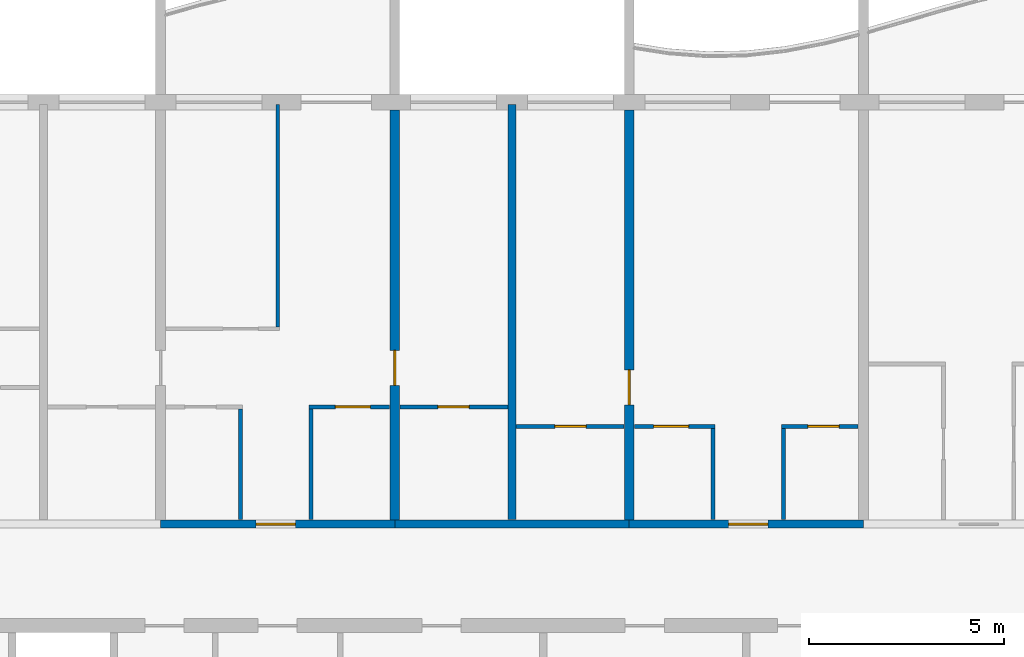
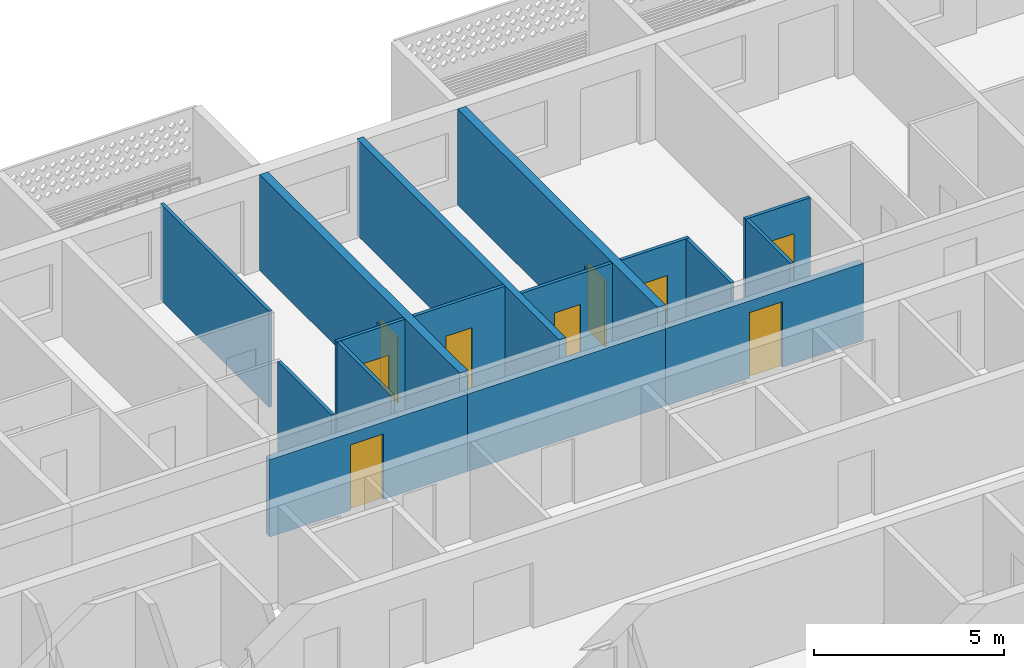
# One storey, part 9 of 26: 16 walls, 9 doors, 9 openings.
"""IFC4 building model written with IfcOpenShell, lengths in metres."""

from ifc_helpers import new_model, si_unit, direction, frame, frame_2d, origin, place, context, subcontext, project, spatial, rectangle, extrude, material, layer, layer_set, type_object, element, fill, save


model = new_model("IFC4")

# Units and contexts
model_context = context("Model", 3, precision=1e-05, world=origin(), true_north=direction((0.0, 1.0)))
body_context = subcontext(model_context, "Body", "Model", "MODEL_VIEW")
ifc_project = project(units=[si_unit("LENGTHUNIT", "METRE"), si_unit("AREAUNIT", "SQUARE_METRE"), si_unit("VOLUMEUNIT", "CUBIC_METRE"), si_unit("PLANEANGLEUNIT", "RADIAN"), si_unit("MASSUNIT", "GRAM", prefix="KILO")], contexts=[model_context])

# Site, building, storey
site_placement = place(None, origin())
site = spatial("IfcSite", under=ifc_project, at=site_placement, CompositionType="ELEMENT")
building_placement = place(site_placement, origin())
building = spatial("IfcBuilding", under=site, at=building_placement, Name="Poui Terraces", CompositionType="ELEMENT")
storey_placement = place(building_placement, frame((0.0, 0.0, 247.800048828125)))
storey = spatial("IfcBuildingStorey", under=building, at=storey_placement, Name="L69", CompositionType="ELEMENT", Elevation=247.800048828125)

# Wall, opening, door
ifc_material_1 = material(Name="Concrete 50 MPa", Category="concrete")
ifc_layer_1 = layer(ifc_material_1, 0.199951171875)
ifc_layer_set_1 = layer_set([ifc_layer_1], Name="Concrete 50 MPa")
wall_type_1 = type_object("IfcWallType", Name="CORRIDOR WALL 200 50MPa", PredefinedType="SHEAR", material=ifc_layer_set_1)
wall_1_placement = place(storey_placement, frame((48.0, 30.39990234375, 0.0), z_axis=(0.0, 0.0, 1.0), x_axis=(1.0, 0.0, 0.0)))
wall_1 = element("IfcWall", 1, at=wall_1_placement, inside=storey, type_object=wall_type_1, Name="CORRIDOR WALL LINE E BAY 6", PredefinedType="SHEAR", context=body_context, shape_type="SweptSolid", body=[
    extrude(rectangle(XDim=6.0, YDim=0.199951171875, at=frame_2d((3.0, 0.0))), origin(), (0.0, 0.0, 1.0), 2.47998046875),
])
opening_1_placement = place(wall_1_placement, frame((2.449951171875, 0.0, 0.0)))
opening_1 = element("IfcOpeningElement", 2, at=opening_1_placement, cuts=wall_1, Name="Opening FD30S", PredefinedType="OPENING", context=body_context, shape_type="SweptSolid", body=[
    extrude(rectangle(XDim=1.0, YDim=2.10009765625, at=frame_2d((0.5, 1.050048828125))), frame((0.0, 0.10986328125, 0.0), z_axis=(0.0, -1.0, 0.0), x_axis=(1.0, 0.0, 0.0)), (0.0, 0.0, 1.0), 0.219970703125),
])
ifc_material_2 = material(Name="Steel fire door", Category="steel")
door_type_1 = type_object("IfcDoorType", Name="FLAT ENTRANCE DOOR 1000 X 2100", OperationType="NOTDEFINED", PredefinedType="DOOR", material=ifc_material_2)
door_1_placement = place(opening_1_placement, origin())
door_1 = element("IfcDoor", 3, at=door_1_placement, inside=storey, type_object=door_type_1, Name="FLAT ENTRANCE DOOR 046", OperationType="SINGLE_SWING_LEFT", OverallHeight=2.10009765625, OverallWidth=1.0, PredefinedType="DOOR", context=body_context, shape_type="SweptSolid", body=[
    extrude(rectangle(XDim=1.0, YDim=2.10009765625, at=frame_2d((0.5, 1.050048828125))), frame((0.0, 0.02490234375, 0.0), z_axis=(0.0, -1.0, 0.0), x_axis=(1.0, 0.0, 0.0)), (0.0, 0.0, 1.0), 0.050048828125),
])
fill(opening_1, door_1)

# Wall
wall_2_placement = place(storey_placement, frame((54.0, 30.39990234375, 0.0), z_axis=(0.0, 0.0, 1.0), x_axis=(1.0, 0.0, 0.0)))
element("IfcWall", 4, at=wall_2_placement, inside=storey, type_object=wall_type_1, Name="CORRIDOR WALL LINE E BAY 7", PredefinedType="SHEAR", context=body_context, shape_type="SweptSolid", body=[
    extrude(rectangle(XDim=6.0, YDim=0.199951171875, at=frame_2d((3.0, 0.0))), origin(), (0.0, 0.0, 1.0), 2.47998046875),
])

# Wall, opening, door
wall_3_placement = place(storey_placement, frame((60.0, 30.39990234375, 0.0), z_axis=(0.0, 0.0, 1.0), x_axis=(1.0, 0.0, 0.0)))
wall_3 = element("IfcWall", 5, at=wall_3_placement, inside=storey, type_object=wall_type_1, Name="CORRIDOR WALL LINE E BAY 8", PredefinedType="SHEAR", context=body_context, shape_type="SweptSolid", body=[
    extrude(rectangle(XDim=6.0, YDim=0.199951171875, at=frame_2d((3.0, 0.0))), origin(), (0.0, 0.0, 1.0), 2.47998046875),
])
opening_2_placement = place(wall_3_placement, frame((2.550048828125, 0.0, 0.0)))
opening_2 = element("IfcOpeningElement", 6, at=opening_2_placement, cuts=wall_3, Name="Opening FD30S", PredefinedType="OPENING", context=body_context, shape_type="SweptSolid", body=[
    extrude(rectangle(XDim=1.0, YDim=2.10009765625, at=frame_2d((0.5, 1.050048828125))), frame((0.0, 0.10986328125, 0.0), z_axis=(0.0, -1.0, 0.0), x_axis=(1.0, 0.0, 0.0)), (0.0, 0.0, 1.0), 0.219970703125),
])
door_2_placement = place(opening_2_placement, origin())
door_2 = element("IfcDoor", 7, at=door_2_placement, inside=storey, type_object=door_type_1, Name="FLAT ENTRANCE DOOR 052", OperationType="SINGLE_SWING_RIGHT", OverallHeight=2.10009765625, OverallWidth=1.0, PredefinedType="DOOR", context=body_context, shape_type="SweptSolid", body=[
    extrude(rectangle(XDim=1.0, YDim=2.10009765625, at=frame_2d((0.5, 1.050048828125))), frame((0.0, 0.02490234375, 0.0), z_axis=(0.0, -1.0, 0.0), x_axis=(1.0, 0.0, 0.0)), (0.0, 0.0, 1.0), 0.050048828125),
])
fill(opening_2, door_2)

ifc_layer_2 = layer(ifc_material_1, 0.25)
ifc_layer_set_2 = layer_set([ifc_layer_2], Name="Concrete 50 MPa")
wall_type_2 = type_object("IfcWallType", Name="CROSS WALL 250 50MPa", PredefinedType="SHEAR", material=ifc_layer_set_2)
wall_4_placement = place(storey_placement, frame((54.0, 30.5, 0.0), z_axis=(0.0, 0.0, 1.0), x_axis=(0.0, 1.0, 0.0)))
wall_4 = element("IfcWall", 8, at=wall_4_placement, inside=storey, type_object=wall_type_2, Name="CROSS WALL LINE 10 NORTH", PredefinedType="SHEAR", context=body_context, shape_type="SweptSolid", body=[
    extrude(rectangle(XDim=10.5, YDim=0.25, at=frame_2d((5.25, 0.0))), origin(), (0.0, 0.0, 1.0), 3.079833984375),
])
opening_3_placement = place(wall_4_placement, frame((3.449951171875, 0.0, 0.0)))
opening_3 = element("IfcOpeningElement", 9, at=opening_3_placement, cuts=wall_4, Name="Opening D90", PredefinedType="OPENING", context=body_context, shape_type="SweptSolid", body=[
    extrude(rectangle(XDim=0.89990234375, YDim=2.10009765625, at=frame_2d((0.449951171875, 1.050048828125))), frame((0.0, 0.135009765625, 0.0), z_axis=(0.0, -1.0, 0.0), x_axis=(1.0, 0.0, 0.0)), (0.0, 0.0, 1.0), 0.27001953125),
])
ifc_material_3 = material(Name="Solid core timber door", Category="wood")
door_type_2 = type_object("IfcDoorType", Name="INTERNAL DOOR 900 X 2100", OperationType="NOTDEFINED", PredefinedType="DOOR", material=ifc_material_3)
door_3_placement = place(opening_3_placement, frame((0.89990234375, 0.0, 0.0), z_axis=(0.0, 0.0, 1.0), x_axis=(-1.0, 0.0, 0.0)))
door_3 = element("IfcDoor", 10, at=door_3_placement, inside=storey, type_object=door_type_2, Name="INTERNAL DOOR 048", OperationType="SINGLE_SWING_RIGHT", OverallHeight=2.10009765625, OverallWidth=0.89990234375, PredefinedType="DOOR", context=body_context, shape_type="SweptSolid", body=[
    extrude(rectangle(XDim=0.89990234375, YDim=2.10009765625, at=frame_2d((0.449951171875, 1.050048828125))), frame((0.0, 0.02490234375, 0.0), z_axis=(0.0, -1.0, 0.0), x_axis=(1.0, 0.0, 0.0)), (0.0, 0.0, 1.0), 0.050048828125),
])
fill(opening_3, door_3)

wall_5_placement = place(storey_placement, frame((60.0, 30.5, 0.0), z_axis=(0.0, 0.0, 1.0), x_axis=(0.0, 1.0, 0.0)))
wall_5 = element("IfcWall", 11, at=wall_5_placement, inside=storey, type_object=wall_type_2, Name="CROSS WALL LINE 11 NORTH", PredefinedType="SHEAR", context=body_context, shape_type="SweptSolid", body=[
    extrude(rectangle(XDim=10.5, YDim=0.25, at=frame_2d((5.25, 0.0))), origin(), (0.0, 0.0, 1.0), 3.079833984375),
])
opening_4_placement = place(wall_5_placement, frame((2.949951171875, 0.0, 0.0)))
opening_4 = element("IfcOpeningElement", 12, at=opening_4_placement, cuts=wall_5, Name="Opening D90", PredefinedType="OPENING", context=body_context, shape_type="SweptSolid", body=[
    extrude(rectangle(XDim=0.89990234375, YDim=2.10009765625, at=frame_2d((0.449951171875, 1.050048828125))), frame((0.0, 0.135009765625, 0.0), z_axis=(0.0, -1.0, 0.0), x_axis=(1.0, 0.0, 0.0)), (0.0, 0.0, 1.0), 0.27001953125),
])
door_4_placement = place(opening_4_placement, origin())
door_4 = element("IfcDoor", 13, at=door_4_placement, inside=storey, type_object=door_type_2, Name="INTERNAL DOOR 050", OperationType="SINGLE_SWING_LEFT", OverallHeight=2.10009765625, OverallWidth=0.89990234375, PredefinedType="DOOR", context=body_context, shape_type="SweptSolid", body=[
    extrude(rectangle(XDim=0.89990234375, YDim=2.10009765625, at=frame_2d((0.449951171875, 1.050048828125))), frame((0.0, 0.02490234375, 0.0), z_axis=(0.0, -1.0, 0.0), x_axis=(1.0, 0.0, 0.0)), (0.0, 0.0, 1.0), 0.050048828125),
])
fill(opening_4, door_4)

ifc_material_4 = material(Name="Plasterboard partition")
ifc_layer_3 = layer(ifc_material_4, 0.10009765625)
ifc_layer_set_3 = layer_set([ifc_layer_3], Name="Plasterboard partition")
wall_type_3 = type_object("IfcWallType", Name="FLAT PARTITION 100", PredefinedType="PARTITIONING", material=ifc_layer_set_3)
wall_6_placement = place(storey_placement, frame((57.10009765625, 32.89990234375, 0.0), z_axis=(0.0, 0.0, 1.0), x_axis=(1.0, 0.0, 0.0)))
wall_6 = element("IfcWall", 14, at=wall_6_placement, inside=storey, type_object=wall_type_3, Name="FLAT PARTITION 100", PredefinedType="PARTITIONING", context=body_context, shape_type="SweptSolid", body=[
    extrude(rectangle(XDim=2.764892578125, YDim=0.10009765625, at=frame_2d((1.38232421875, 0.0))), origin(), (0.0, 0.0, 1.0), 3.079833984375),
])
opening_5_placement = place(wall_6_placement, frame((1.0, 0.0, 0.0)))
opening_5 = element("IfcOpeningElement", 15, at=opening_5_placement, cuts=wall_6, Name="Opening D80", PredefinedType="OPENING", context=body_context, shape_type="SweptSolid", body=[
    extrude(rectangle(XDim=0.800048828125, YDim=2.10009765625, at=frame_2d((0.39990234375, 1.050048828125))), frame((0.0, 0.06005859375, 0.0), z_axis=(0.0, -1.0, 0.0), x_axis=(1.0, 0.0, 0.0)), (0.0, 0.0, 1.0), 0.1201171875),
])
door_type_3 = type_object("IfcDoorType", Name="BATHROOM, LAUNDRY AND STORE DOOR 800 X 2100", OperationType="NOTDEFINED", PredefinedType="DOOR", material=ifc_material_3)
door_5_placement = place(opening_5_placement, frame((0.800048828125, 0.0, 0.0), z_axis=(0.0, 0.0, 1.0), x_axis=(-1.0, 0.0, 0.0)))
door_5 = element("IfcDoor", 16, at=door_5_placement, inside=storey, type_object=door_type_3, Name="BATHROOM, LAUNDRY AND STORE DOOR 049", OperationType="SINGLE_SWING_RIGHT", OverallHeight=2.10009765625, OverallWidth=0.800048828125, PredefinedType="DOOR", context=body_context, shape_type="SweptSolid", body=[
    extrude(rectangle(XDim=0.800048828125, YDim=2.10009765625, at=frame_2d((0.39990234375, 1.050048828125))), frame((0.0, 0.02490234375, 0.0), z_axis=(0.0, -1.0, 0.0), x_axis=(1.0, 0.0, 0.0)), (0.0, 0.0, 1.0), 0.050048828125),
])
fill(opening_5, door_5)

wall_7_placement = place(storey_placement, frame((60.135009765625, 32.89990234375, 0.0), z_axis=(0.0, 0.0, 1.0), x_axis=(1.0, 0.0, 0.0)))
wall_7 = element("IfcWall", 17, at=wall_7_placement, inside=storey, type_object=wall_type_3, Name="FLAT PARTITION 100", PredefinedType="PARTITIONING", context=body_context, shape_type="SweptSolid", body=[
    extrude(rectangle(XDim=2.06494140625, YDim=0.10009765625, at=frame_2d((1.032470703125, 0.0))), origin(), (0.0, 0.0, 1.0), 3.079833984375),
])
opening_6_placement = place(wall_7_placement, frame((0.489990234375, 0.0, 0.0)))
opening_6 = element("IfcOpeningElement", 18, at=opening_6_placement, cuts=wall_7, Name="Opening D90", PredefinedType="OPENING", context=body_context, shape_type="SweptSolid", body=[
    extrude(rectangle(XDim=0.89990234375, YDim=2.10009765625, at=frame_2d((0.449951171875, 1.050048828125))), frame((0.0, 0.06005859375, 0.0), z_axis=(0.0, -1.0, 0.0), x_axis=(1.0, 0.0, 0.0)), (0.0, 0.0, 1.0), 0.1201171875),
])
door_6_placement = place(opening_6_placement, frame((0.89990234375, 0.0, 0.0), z_axis=(0.0, 0.0, 1.0), x_axis=(-1.0, 0.0, 0.0)))
door_6 = element("IfcDoor", 19, at=door_6_placement, inside=storey, type_object=door_type_2, Name="INTERNAL DOOR 051", OperationType="SINGLE_SWING_LEFT", OverallHeight=2.10009765625, OverallWidth=0.89990234375, PredefinedType="DOOR", context=body_context, shape_type="SweptSolid", body=[
    extrude(rectangle(XDim=0.89990234375, YDim=2.10009765625, at=frame_2d((0.449951171875, 1.050048828125))), frame((0.0, 0.02490234375, 0.0), z_axis=(0.0, -1.0, 0.0), x_axis=(1.0, 0.0, 0.0)), (0.0, 0.0, 1.0), 0.050048828125),
])
fill(opening_6, door_6)

wall_8_placement = place(storey_placement, frame((63.89990234375, 32.89990234375, 0.0), z_axis=(0.0, 0.0, 1.0), x_axis=(1.0, 0.0, 0.0)))
wall_8 = element("IfcWall", 20, at=wall_8_placement, inside=storey, type_object=wall_type_3, Name="FLAT PARTITION 100", PredefinedType="PARTITIONING", context=body_context, shape_type="SweptSolid", body=[
    extrude(rectangle(XDim=1.965087890625, YDim=0.10009765625, at=frame_2d((0.982421875, 0.0))), origin(), (0.0, 0.0, 1.0), 3.079833984375),
])
opening_7_placement = place(wall_8_placement, frame((0.675048828125, 0.0, 0.0)))
opening_7 = element("IfcOpeningElement", 21, at=opening_7_placement, cuts=wall_8, Name="Opening D80", PredefinedType="OPENING", context=body_context, shape_type="SweptSolid", body=[
    extrude(rectangle(XDim=0.800048828125, YDim=2.10009765625, at=frame_2d((0.39990234375, 1.050048828125))), frame((0.0, 0.06005859375, 0.0), z_axis=(0.0, -1.0, 0.0), x_axis=(1.0, 0.0, 0.0)), (0.0, 0.0, 1.0), 0.1201171875),
])
door_7_placement = place(opening_7_placement, frame((0.800048828125, 0.0, 0.0), z_axis=(0.0, 0.0, 1.0), x_axis=(-1.0, 0.0, 0.0)))
door_7 = element("IfcDoor", 22, at=door_7_placement, inside=storey, type_object=door_type_3, Name="BATHROOM, LAUNDRY AND STORE DOOR 053", OperationType="SINGLE_SWING_RIGHT", OverallHeight=2.10009765625, OverallWidth=0.800048828125, PredefinedType="DOOR", context=body_context, shape_type="SweptSolid", body=[
    extrude(rectangle(XDim=0.800048828125, YDim=2.10009765625, at=frame_2d((0.39990234375, 1.050048828125))), frame((0.0, 0.02490234375, 0.0), z_axis=(0.0, -1.0, 0.0), x_axis=(1.0, 0.0, 0.0)), (0.0, 0.0, 1.0), 0.050048828125),
])
fill(opening_7, door_7)

wall_9_placement = place(storey_placement, frame((51.800048828125, 33.39990234375, 0.0), z_axis=(0.0, 0.0, 1.0), x_axis=(1.0, 0.0, 0.0)))
wall_9 = element("IfcWall", 23, at=wall_9_placement, inside=storey, type_object=wall_type_3, Name="FLAT PARTITION 100", PredefinedType="PARTITIONING", context=body_context, shape_type="SweptSolid", body=[
    extrude(rectangle(XDim=2.06494140625, YDim=0.10009765625, at=frame_2d((1.032470703125, 0.0))), origin(), (0.0, 0.0, 1.0), 3.079833984375),
])
opening_8_placement = place(wall_9_placement, frame((0.675048828125, 0.0, 0.0)))
opening_8 = element("IfcOpeningElement", 24, at=opening_8_placement, cuts=wall_9, Name="Opening D90", PredefinedType="OPENING", context=body_context, shape_type="SweptSolid", body=[
    extrude(rectangle(XDim=0.89990234375, YDim=2.10009765625, at=frame_2d((0.449951171875, 1.050048828125))), frame((0.0, 0.06005859375, 0.0), z_axis=(0.0, -1.0, 0.0), x_axis=(1.0, 0.0, 0.0)), (0.0, 0.0, 1.0), 0.1201171875),
])
door_8_placement = place(opening_8_placement, frame((0.89990234375, 0.0, 0.0), z_axis=(0.0, 0.0, 1.0), x_axis=(-1.0, 0.0, 0.0)))
door_8 = element("IfcDoor", 25, at=door_8_placement, inside=storey, type_object=door_type_2, Name="INTERNAL DOOR 047", OperationType="SINGLE_SWING_RIGHT", OverallHeight=2.10009765625, OverallWidth=0.89990234375, PredefinedType="DOOR", context=body_context, shape_type="SweptSolid", body=[
    extrude(rectangle(XDim=0.89990234375, YDim=2.10009765625, at=frame_2d((0.449951171875, 1.050048828125))), frame((0.0, 0.02490234375, 0.0), z_axis=(0.0, -1.0, 0.0), x_axis=(1.0, 0.0, 0.0)), (0.0, 0.0, 1.0), 0.050048828125),
])
fill(opening_8, door_8)

wall_10_placement = place(storey_placement, frame((54.135009765625, 33.39990234375, 0.0), z_axis=(0.0, 0.0, 1.0), x_axis=(1.0, 0.0, 0.0)))
wall_10 = element("IfcWall", 26, at=wall_10_placement, inside=storey, type_object=wall_type_3, Name="FLAT PARTITION 100", PredefinedType="PARTITIONING", context=body_context, shape_type="SweptSolid", body=[
    extrude(rectangle(XDim=2.764892578125, YDim=0.10009765625, at=frame_2d((1.38232421875, 0.0))), origin(), (0.0, 0.0, 1.0), 3.079833984375),
])
opening_9_placement = place(wall_10_placement, frame((0.965087890625, 0.0, 0.0)))
opening_9 = element("IfcOpeningElement", 27, at=opening_9_placement, cuts=wall_10, Name="Opening D80", PredefinedType="OPENING", context=body_context, shape_type="SweptSolid", body=[
    extrude(rectangle(XDim=0.800048828125, YDim=2.10009765625, at=frame_2d((0.39990234375, 1.050048828125))), frame((0.0, 0.06005859375, 0.0), z_axis=(0.0, -1.0, 0.0), x_axis=(1.0, 0.0, 0.0)), (0.0, 0.0, 1.0), 0.1201171875),
])
door_9_placement = place(opening_9_placement, frame((0.800048828125, 0.0, 0.0), z_axis=(0.0, 0.0, 1.0), x_axis=(-1.0, 0.0, 0.0)))
door_9 = element("IfcDoor", 28, at=door_9_placement, inside=storey, type_object=door_type_3, Name="BATHROOM, LAUNDRY AND STORE DOOR 042", OperationType="SINGLE_SWING_LEFT", OverallHeight=2.10009765625, OverallWidth=0.800048828125, PredefinedType="DOOR", context=body_context, shape_type="SweptSolid", body=[
    extrude(rectangle(XDim=0.800048828125, YDim=2.10009765625, at=frame_2d((0.39990234375, 1.050048828125))), frame((0.0, 0.02490234375, 0.0), z_axis=(0.0, -1.0, 0.0), x_axis=(1.0, 0.0, 0.0)), (0.0, 0.0, 1.0), 0.050048828125),
])
fill(opening_9, door_9)

# Walls
wall_11_placement = place(storey_placement, frame((50.050048828125, 30.510009765625, 0.0), z_axis=(0.0, 0.0, 1.0), x_axis=(0.0, 1.0, 0.0)))
element("IfcWall", 29, at=wall_11_placement, inside=storey, type_object=wall_type_3, Name="FLAT PARTITION 100", PredefinedType="PARTITIONING", context=body_context, shape_type="SweptSolid", body=[
    extrude(rectangle(XDim=2.840087890625, YDim=0.10009765625, at=frame_2d((1.419921875, 0.0))), origin(), (0.0, 0.0, 1.0), 3.079833984375),
])
wall_12_placement = place(storey_placement, frame((51.0, 35.449951171875, 0.0), z_axis=(0.0, 0.0, 1.0), x_axis=(0.0, 1.0, 0.0)))
element("IfcWall", 30, at=wall_12_placement, inside=storey, type_object=wall_type_3, Name="FLAT PARTITION 100", PredefinedType="PARTITIONING", context=body_context, shape_type="SweptSolid", body=[
    extrude(rectangle(XDim=5.68994140625, YDim=0.10009765625, at=frame_2d((2.844970703125, 0.0))), origin(), (0.0, 0.0, 1.0), 3.079833984375),
])
wall_13_placement = place(storey_placement, frame((51.85009765625, 30.510009765625, 0.0), z_axis=(0.0, 0.0, 1.0), x_axis=(0.0, 1.0, 0.0)))
element("IfcWall", 31, at=wall_13_placement, inside=storey, type_object=wall_type_3, Name="FLAT PARTITION 100", PredefinedType="PARTITIONING", context=body_context, shape_type="SweptSolid", body=[
    extrude(rectangle(XDim=2.840087890625, YDim=0.10009765625, at=frame_2d((1.419921875, 0.0))), origin(), (0.0, 0.0, 1.0), 3.079833984375),
])
for number, where, z_axis, x_axis, name in (
    (32, (62.14990234375, 30.510009765625, 0.0), (0.0, 0.0, 1.0), (0.0, 1.0, 0.0), "FLAT PARTITION 100"),
    (33, (63.949951171875, 30.510009765625, 0.0), (0.0, 0.0, 1.0), (0.0, 1.0, 0.0), "FLAT PARTITION 100"),
):
    element("IfcWall", number, at=place(storey_placement, frame(where, z_axis=z_axis, x_axis=x_axis)), inside=storey, type_object=wall_type_3, Name=name, PredefinedType="PARTITIONING", context=body_context, shape_type="SweptSolid", body=[
        extrude(rectangle(XDim=2.340087890625, YDim=0.10009765625, at=frame_2d((1.169921875, 0.0))), origin(), (0.0, 0.0, 1.0), 3.079833984375),
    ])
ifc_material_5 = material(Name="Fire-rated masonry wall", Category="masonry")
ifc_layer_4 = layer(ifc_material_5, 0.199951171875)
ifc_layer_set_4 = layer_set([ifc_layer_4], Name="Fire-rated masonry wall")
wall_type_4 = type_object("IfcWallType", Name="FLAT PARTY WALL 200", PredefinedType="PARTITIONING", material=ifc_layer_set_4)
wall_14_placement = place(storey_placement, frame((57.0, 30.510009765625, 0.0), z_axis=(0.0, 0.0, 1.0), x_axis=(0.0, 1.0, 0.0)))
element("IfcWall", 34, at=wall_14_placement, inside=storey, type_object=wall_type_4, Name="FLAT PARTY WALL 200", PredefinedType="PARTITIONING", context=body_context, shape_type="SweptSolid", body=[
    extrude(rectangle(XDim=10.6298828125, YDim=0.199951171875, at=frame_2d((5.31494140625, 0.0))), origin(), (0.0, 0.0, 1.0), 3.079833984375),
])

save(model, "model.ifc")
